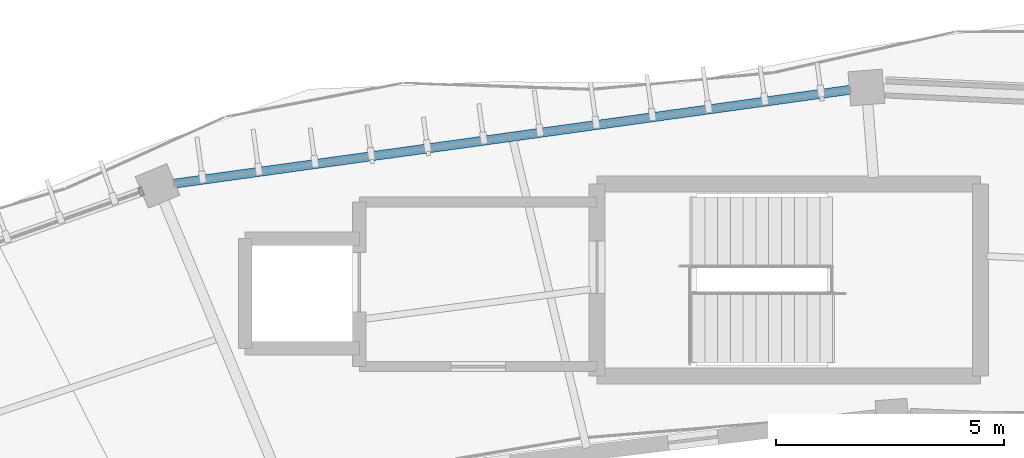
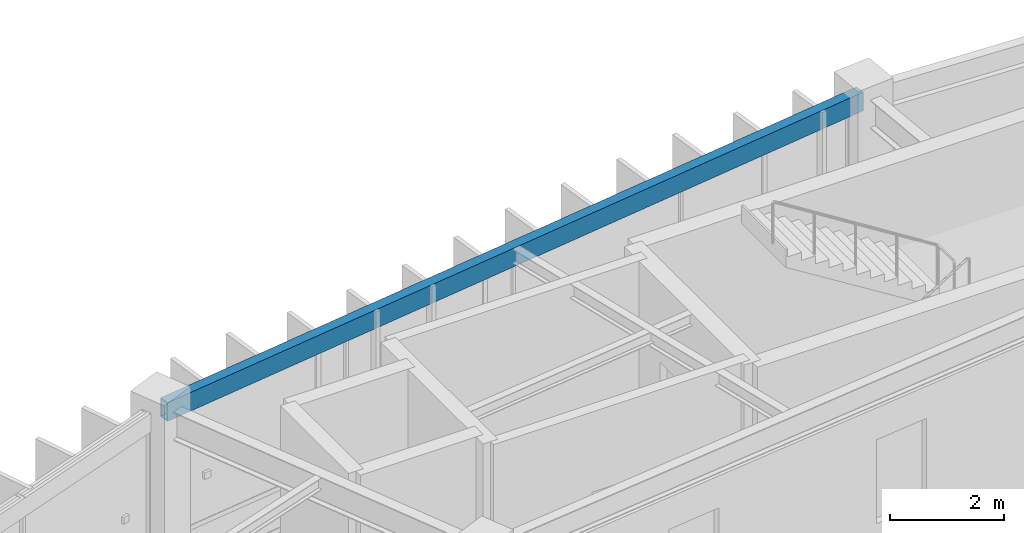
# One storey, part 74 of 152: 1 beam.
"""IFC4 building model written with IfcOpenShell, lengths in metres."""

from ifc_helpers import new_model, si_unit, direction, frame, origin, origin_2d, place, context, subcontext, project, spatial, hollow_rectangle, extrude, material, material_profile, profile_set, type_object, element, save


model = new_model("IFC4")

# Units and contexts
model_context = context("Model", 3, precision=1e-05, world=origin(), true_north=direction((0.0, 1.0)))
body_context = subcontext(model_context, "Body", "Model", "MODEL_VIEW")
ifc_project = project(units=[si_unit("LENGTHUNIT", "METRE"), si_unit("AREAUNIT", "SQUARE_METRE"), si_unit("VOLUMEUNIT", "CUBIC_METRE"), si_unit("PLANEANGLEUNIT", "RADIAN"), si_unit("MASSUNIT", "GRAM", prefix="KILO"), si_unit("THERMODYNAMICTEMPERATUREUNIT", "KELVIN"), si_unit("POWERUNIT", "WATT")], contexts=[model_context])

# Site, building, storey
site_placement = place(None, origin())
site = spatial("IfcSite", under=ifc_project, at=site_placement, CompositionType="ELEMENT")
building_placement = place(site_placement, origin())
building = spatial("IfcBuilding", under=site, at=building_placement, Name="Darbajah Civic Hall", CompositionType="ELEMENT")
storey_placement = place(building_placement, frame((0.0, 0.0, 5.39990234375)))
storey = spatial("IfcBuildingStorey", under=building, at=storey_placement, Name="L01", CompositionType="ELEMENT", Elevation=5.39990234375)

# Beam
ifc_material = material(Name="Steel S355JR", Category="steel")
ifc_material_profile = material_profile(ifc_material, hollow_rectangle(XDim=0.199951171875, YDim=0.39990234375, WallThickness=0.013916015625, at=origin_2d()), Name="RHS 400x200x14")
ifc_profile_set = profile_set([ifc_material_profile], Name="Steel S355JR")
beam_type = type_object("IfcBeamType", Name="RHS 400x200x14", PredefinedType="SPANDREL", material=ifc_profile_set)
beam_placement = place(storey_placement, frame((85.019287109375, 119.197998046875, 3.72021484375), z_axis=(-0.990495253006, -0.137546914804, 0.0), x_axis=(0.137546914804, -0.990495253006, 0.0)))
element("IfcBeam", 1, at=beam_placement, inside=storey, type_object=beam_type, Name="L01 beam SP-RHS400", PredefinedType="SPANDREL", context=body_context, shape_type="SweptSolid", body=[
    extrude(hollow_rectangle(XDim=0.199951171875, YDim=0.39990234375, WallThickness=0.013916015625, at=origin_2d()), origin(), (0.0, 0.0, 1.0), 15.50439453125),
])

save(model, "model.ifc")
